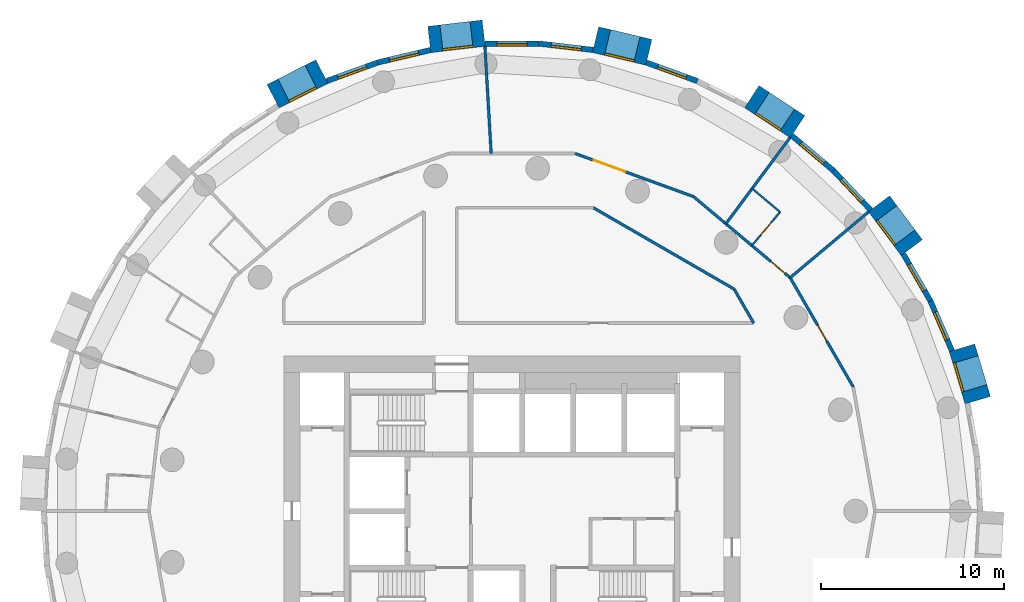
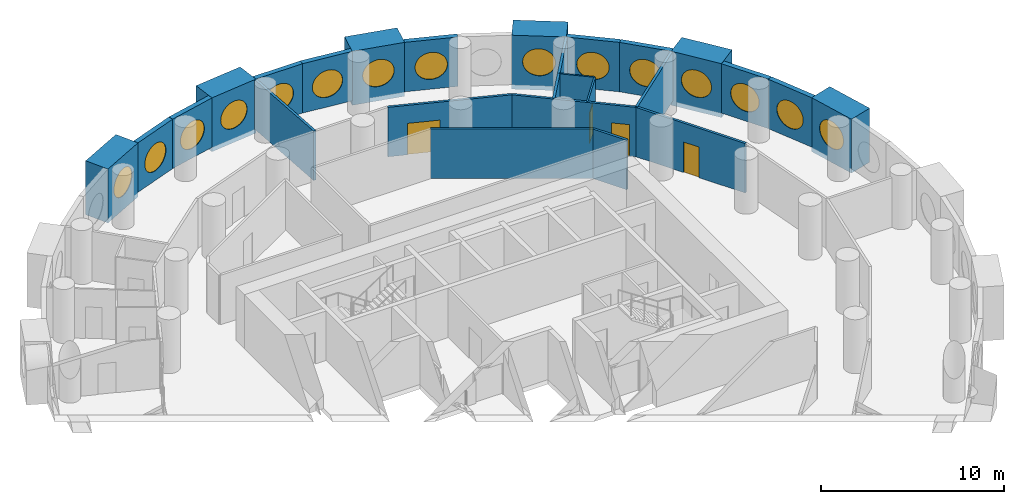
# One storey, part 7 of 9: 25 walls, 15 windows, 4 doors, 19 openings.
"""IFC4 building model written with IfcOpenShell, lengths in metres."""

from ifc_helpers import new_model, si_unit, direction, frame, frame_2d, origin, origin_2d, place, context, subcontext, project, spatial, rectangle, circle, extrude, material, layer, layer_set, type_object, element, fill, save


model = new_model("IFC4")

# Units and contexts
model_context = context("Model", 3, precision=1e-05, world=origin(), true_north=direction((0.0, 1.0)))
body_context = subcontext(model_context, "Body", "Model", "MODEL_VIEW")
ifc_project = project(units=[si_unit("LENGTHUNIT", "METRE"), si_unit("AREAUNIT", "SQUARE_METRE"), si_unit("VOLUMEUNIT", "CUBIC_METRE"), si_unit("PLANEANGLEUNIT", "RADIAN"), si_unit("MASSUNIT", "GRAM", prefix="KILO")], contexts=[model_context])

# Site, building, storey
site_placement = place(None, origin())
site = spatial("IfcSite", under=ifc_project, at=site_placement, CompositionType="ELEMENT")
building_placement = place(site_placement, origin())
building = spatial("IfcBuilding", under=site, at=building_placement, Name="Tracery Tower", CompositionType="ELEMENT")
storey_placement = place(building_placement, frame((0.0, 0.0, 187.199951171875)))
storey = spatial("IfcBuildingStorey", under=building, at=storey_placement, Name="L48", CompositionType="ELEMENT", Elevation=187.199951171875)

# Wall, opening, window
ifc_material_1 = material(Name="Precast concrete C50/60", Category="concrete")
ifc_layer_1 = layer(ifc_material_1, 1.449951171875)
ifc_layer_set_1 = layer_set([ifc_layer_1], Name="Deep-set bay unit 3000 x 3600, slab edge 300")
wall_type_1 = type_object("IfcWallType", Name="Deep-set bay unit 3000 x 3600, slab edge 300", PredefinedType="ELEMENTEDWALL", material=ifc_layer_set_1)
wall_1_placement = place(storey_placement, frame((25.509521484375, 6.0712890625, -0.300048828125), z_axis=(0.0, 0.0, 1.0), x_axis=(-0.286780420304, 0.957996341606, 0.0)))
wall_1 = element("IfcWall", 1, at=wall_1_placement, inside=storey, type_object=wall_type_1, Name="Deep-set bay unit 3 at L48", PredefinedType="ELEMENTEDWALL", context=body_context, shape_type="SweptSolid", body=[
    extrude(rectangle(XDim=3.0, YDim=1.449951171875, at=frame_2d((1.5, 0.0))), origin(), (0.0, 0.0, 1.0), 3.60009765625),
])
opening_1_placement = place(wall_1_placement, frame((1.5, 0.0, 1.85009765625)))
opening_1 = element("IfcOpeningElement", 2, at=opening_1_placement, cuts=wall_1, Name="Opening WN1", PredefinedType="OPENING", context=body_context, shape_type="SweptSolid", body=[
    extrude(circle(Radius=0.9000244140625, at=origin_2d()), frame((0.0, 0.73486328125, 0.0), z_axis=(0.0, -1.0, 0.0), x_axis=(1.0, 0.0, 0.0)), (0.0, 0.0, 1.0), 1.469970703125),
])
ifc_material_2 = material(Name="Aluminium frame with tinted double glazing", Category="aluminium")
window_type = type_object("IfcWindowType", Name="Round window 1800", PartitioningType="SINGLE_PANEL", PredefinedType="WINDOW", material=ifc_material_2)
window_1_placement = place(opening_1_placement, origin())
window_1 = element("IfcWindow", 3, at=window_1_placement, inside=storey, type_object=window_type, Name="Round window 3 at L48", OverallHeight=1.800048828125, OverallWidth=1.800048828125, PartitioningType="SINGLE_PANEL", PredefinedType="WINDOW", context=body_context, shape_type="SweptSolid", body=[
    extrude(circle(Radius=0.9000244140625, at=origin_2d()), frame((0.0, 0.69482421875, 0.0), z_axis=(0.0, -1.0, 0.0), x_axis=(1.0, 0.0, 0.0)), (0.0, 0.0, 1.0), 0.10009765625),
])
fill(opening_1, window_1)

wall_2_placement = place(storey_placement, frame((21.89453125, 14.429931640625, -0.300048828125), z_axis=(0.0, 0.0, 1.0), x_axis=(-0.597183717734, 0.802104486506, 0.0)))
wall_2 = element("IfcWall", 4, at=wall_2_placement, inside=storey, type_object=wall_type_1, Name="Deep-set bay unit 6 at L48", PredefinedType="ELEMENTEDWALL", context=body_context, shape_type="SweptSolid", body=[
    extrude(rectangle(XDim=3.0, YDim=1.449951171875, at=frame_2d((1.5, 0.0))), origin(), (0.0, 0.0, 1.0), 3.60009765625),
])
opening_2_placement = place(wall_2_placement, frame((1.5, 0.0, 1.85009765625)))
opening_2 = element("IfcOpeningElement", 5, at=opening_2_placement, cuts=wall_2, Name="Opening WN1", PredefinedType="OPENING", context=body_context, shape_type="SweptSolid", body=[
    extrude(circle(Radius=0.9000244140625, at=origin_2d()), frame((0.0, 0.73486328125, 0.0), z_axis=(0.0, -1.0, 0.0), x_axis=(1.0, 0.0, 0.0)), (0.0, 0.0, 1.0), 1.469970703125),
])
window_2_placement = place(opening_2_placement, origin())
window_2 = element("IfcWindow", 6, at=window_2_placement, inside=storey, type_object=window_type, Name="Round window 6 at L48", OverallHeight=1.800048828125, OverallWidth=1.800048828125, PartitioningType="SINGLE_PANEL", PredefinedType="WINDOW", context=body_context, shape_type="SweptSolid", body=[
    extrude(circle(Radius=0.9000244140625, at=origin_2d()), frame((0.0, 0.69482421875, 0.0), z_axis=(0.0, -1.0, 0.0), x_axis=(1.0, 0.0, 0.0)), (0.0, 0.0, 1.0), 0.10009765625),
])
fill(opening_2, window_2)

wall_3_placement = place(storey_placement, frame((15.638916015625, 21.048095703125, -0.300048828125), z_axis=(0.0, 0.0, 1.0), x_axis=(-0.835514416706, 0.549468524554, 0.0)))
wall_3 = element("IfcWall", 7, at=wall_3_placement, inside=storey, type_object=wall_type_1, Name="Deep-set bay unit 9 at L48", PredefinedType="ELEMENTEDWALL", context=body_context, shape_type="SweptSolid", body=[
    extrude(rectangle(XDim=3.0, YDim=1.449951171875, at=frame_2d((1.5, 0.0))), origin(), (0.0, 0.0, 1.0), 3.60009765625),
])
opening_3_placement = place(wall_3_placement, frame((1.5, 0.0, 1.85009765625)))
opening_3 = element("IfcOpeningElement", 8, at=opening_3_placement, cuts=wall_3, Name="Opening WN1", PredefinedType="OPENING", context=body_context, shape_type="SweptSolid", body=[
    extrude(circle(Radius=0.9000244140625, at=origin_2d()), frame((0.0, 0.73486328125, 0.0), z_axis=(0.0, -1.0, 0.0), x_axis=(1.0, 0.0, 0.0)), (0.0, 0.0, 1.0), 1.469970703125),
])
window_3_placement = place(opening_3_placement, origin())
window_3 = element("IfcWindow", 9, at=window_3_placement, inside=storey, type_object=window_type, Name="Round window 9 at L48", OverallHeight=1.800048828125, OverallWidth=1.800048828125, PartitioningType="SINGLE_PANEL", PredefinedType="WINDOW", context=body_context, shape_type="SweptSolid", body=[
    extrude(circle(Radius=0.9000244140625, at=origin_2d()), frame((0.0, 0.69482421875, 0.0), z_axis=(0.0, -1.0, 0.0), x_axis=(1.0, 0.0, 0.0)), (0.0, 0.0, 1.0), 0.10009765625),
])
fill(opening_3, window_3)

wall_4_placement = place(storey_placement, frame((7.496826171875, 25.12744140625, -0.300048828125), z_axis=(0.0, 0.0, 1.0), x_axis=(-0.973042333261, 0.23062657627, 0.0)))
wall_4 = element("IfcWall", 10, at=wall_4_placement, inside=storey, type_object=wall_type_1, Name="Deep-set bay unit 12 at L48", PredefinedType="ELEMENTEDWALL", context=body_context, shape_type="SweptSolid", body=[
    extrude(rectangle(XDim=3.0, YDim=1.449951171875, at=frame_2d((1.5, 0.0))), origin(), (0.0, 0.0, 1.0), 3.60009765625),
])
opening_4_placement = place(wall_4_placement, frame((1.5, 0.0, 1.85009765625)))
opening_4 = element("IfcOpeningElement", 11, at=opening_4_placement, cuts=wall_4, Name="Opening WN1", PredefinedType="OPENING", context=body_context, shape_type="SweptSolid", body=[
    extrude(circle(Radius=0.9000244140625, at=origin_2d()), frame((0.0, 0.73486328125, 0.0), z_axis=(0.0, -1.0, 0.0), x_axis=(1.0, 0.0, 0.0)), (0.0, 0.0, 1.0), 1.469970703125),
])
window_4_placement = place(opening_4_placement, origin())
window_4 = element("IfcWindow", 12, at=window_4_placement, inside=storey, type_object=window_type, Name="Round window 12 at L48", OverallHeight=1.800048828125, OverallWidth=1.800048828125, PartitioningType="SINGLE_PANEL", PredefinedType="WINDOW", context=body_context, shape_type="SweptSolid", body=[
    extrude(circle(Radius=0.9000244140625, at=origin_2d()), frame((0.0, 0.69482421875, 0.0), z_axis=(0.0, -1.0, 0.0), x_axis=(1.0, 0.0, 0.0)), (0.0, 0.0, 1.0), 0.10009765625),
])
fill(opening_4, window_4)

wall_5_placement = place(storey_placement, frame((-1.54931640625, 26.17626953125, -0.300048828125), z_axis=(0.0, 0.0, 1.0), x_axis=(-0.9932342274, -0.116128246006, 0.0)))
wall_5 = element("IfcWall", 13, at=wall_5_placement, inside=storey, type_object=wall_type_1, Name="Deep-set bay unit 15 at L48", PredefinedType="ELEMENTEDWALL", context=body_context, shape_type="SweptSolid", body=[
    extrude(rectangle(XDim=3.0, YDim=1.449951171875, at=frame_2d((1.5, 0.0))), origin(), (0.0, 0.0, 1.0), 3.60009765625),
])
opening_5_placement = place(wall_5_placement, frame((1.5, 0.0, 1.85009765625)))
opening_5 = element("IfcOpeningElement", 14, at=opening_5_placement, cuts=wall_5, Name="Opening WN1", PredefinedType="OPENING", context=body_context, shape_type="SweptSolid", body=[
    extrude(circle(Radius=0.9000244140625, at=origin_2d()), frame((0.0, 0.73486328125, 0.0), z_axis=(0.0, -1.0, 0.0), x_axis=(1.0, 0.0, 0.0)), (0.0, 0.0, 1.0), 1.469970703125),
])
window_5_placement = place(opening_5_placement, origin())
window_5 = element("IfcWindow", 15, at=window_5_placement, inside=storey, type_object=window_type, Name="Round window 15 at L48", OverallHeight=1.800048828125, OverallWidth=1.800048828125, PartitioningType="SINGLE_PANEL", PredefinedType="WINDOW", context=body_context, shape_type="SweptSolid", body=[
    extrude(circle(Radius=0.9000244140625, at=origin_2d()), frame((0.0, 0.69482421875, 0.0), z_axis=(0.0, -1.0, 0.0), x_axis=(1.0, 0.0, 0.0)), (0.0, 0.0, 1.0), 0.10009765625),
])
fill(opening_5, window_5)

wall_6_placement = place(storey_placement, frame((-10.40869140625, 24.067626953125, -0.300048828125), z_axis=(0.0, 0.0, 1.0), x_axis=(-0.893628249713, -0.448807922518, 0.0)))
wall_6 = element("IfcWall", 16, at=wall_6_placement, inside=storey, type_object=wall_type_1, Name="Deep-set bay unit 18 at L48", PredefinedType="ELEMENTEDWALL", context=body_context, shape_type="SweptSolid", body=[
    extrude(rectangle(XDim=3.0, YDim=1.449951171875, at=frame_2d((1.5, 0.0))), origin(), (0.0, 0.0, 1.0), 3.60009765625),
])
opening_6_placement = place(wall_6_placement, frame((1.5, 0.0, 1.85009765625)))
opening_6 = element("IfcOpeningElement", 17, at=opening_6_placement, cuts=wall_6, Name="Opening WN1", PredefinedType="OPENING", context=body_context, shape_type="SweptSolid", body=[
    extrude(circle(Radius=0.9000244140625, at=origin_2d()), frame((0.0, 0.73486328125, 0.0), z_axis=(0.0, -1.0, 0.0), x_axis=(1.0, 0.0, 0.0)), (0.0, 0.0, 1.0), 1.469970703125),
])
window_6_placement = place(opening_6_placement, origin())
window_6 = element("IfcWindow", 18, at=window_6_placement, inside=storey, type_object=window_type, Name="Round window 18 at L48", OverallHeight=1.800048828125, OverallWidth=1.800048828125, PartitioningType="SINGLE_PANEL", PredefinedType="WINDOW", context=body_context, shape_type="SweptSolid", body=[
    extrude(circle(Radius=0.9000244140625, at=origin_2d()), frame((0.0, 0.69482421875, 0.0), z_axis=(0.0, -1.0, 0.0), x_axis=(1.0, 0.0, 0.0)), (0.0, 0.0, 1.0), 0.10009765625),
])
fill(opening_6, window_6)

ifc_material_3 = material(Name="Precast concrete C50/60", Category="concrete")
ifc_layer_2 = layer(ifc_material_3, 0.300048828125)
ifc_layer_set_2 = layer_set([ifc_layer_2], Name="Facade panel 3000 x 3300")
wall_type_2 = type_object("IfcWallType", Name="Facade panel 3000 x 3300", PredefinedType="SOLIDWALL", material=ifc_layer_set_2)
wall_7_placement = place(storey_placement, frame((24.096923828125, 8.78076171875, 0.0), z_axis=(0.0, 0.0, 1.0), x_axis=(-0.396078892785, 0.918216483565, 0.0)))
wall_7 = element("IfcWall", 19, at=wall_7_placement, inside=storey, type_object=wall_type_2, Name="Facade panel 4 at L48", PredefinedType="SOLIDWALL", context=body_context, shape_type="SweptSolid", body=[
    extrude(rectangle(XDim=2.972900390625, YDim=0.300048828125, at=frame_2d((1.486328125, 0.0))), origin(), (0.0, 0.0, 1.0), 3.300048828125),
])
opening_7_placement = place(wall_7_placement, frame((1.486328125, 0.0, 1.5498046875)))
opening_7 = element("IfcOpeningElement", 20, at=opening_7_placement, cuts=wall_7, Name="Opening WN1", PredefinedType="OPENING", context=body_context, shape_type="SweptSolid", body=[
    extrude(circle(Radius=0.9000244140625, at=origin_2d()), frame((0.0, 0.159912109375, 0.0), z_axis=(0.0, -1.0, 0.0), x_axis=(1.0, 0.0, 0.0)), (0.0, 0.0, 1.0), 0.320068359375),
])
window_7_placement = place(opening_7_placement, origin())
window_7 = element("IfcWindow", 21, at=window_7_placement, inside=storey, type_object=window_type, Name="Round window 4 at L48", OverallHeight=1.800048828125, OverallWidth=1.800048828125, PartitioningType="SINGLE_PANEL", PredefinedType="WINDOW", context=body_context, shape_type="SweptSolid", body=[
    extrude(circle(Radius=0.9000244140625, at=origin_2d()), frame((0.0, 0.1201171875, 0.0), z_axis=(0.0, -1.0, 0.0), x_axis=(1.0, 0.0, 0.0)), (0.0, 0.0, 1.0), 0.10009765625),
])
fill(opening_7, window_7)

wall_8_placement = place(storey_placement, frame((22.91943359375, 11.510498046875, 0.0), z_axis=(0.0, 0.0, 1.0), x_axis=(-0.500016263033, 0.866016014115, 0.0)))
wall_8 = element("IfcWall", 22, at=wall_8_placement, inside=storey, type_object=wall_type_2, Name="Facade panel 5 at L48", PredefinedType="SOLIDWALL", context=body_context, shape_type="SweptSolid", body=[
    extrude(rectangle(XDim=2.97314453125, YDim=0.300048828125, at=frame_2d((1.486572265625, 0.0))), origin(), (0.0, 0.0, 1.0), 3.300048828125),
])
opening_8_placement = place(wall_8_placement, frame((1.486328125, 0.0, 1.5498046875)))
opening_8 = element("IfcOpeningElement", 23, at=opening_8_placement, cuts=wall_8, Name="Opening WN1", PredefinedType="OPENING", context=body_context, shape_type="SweptSolid", body=[
    extrude(circle(Radius=0.9000244140625, at=origin_2d()), frame((0.0, 0.159912109375, 0.0), z_axis=(0.0, -1.0, 0.0), x_axis=(1.0, 0.0, 0.0)), (0.0, 0.0, 1.0), 0.320068359375),
])
window_8_placement = place(opening_8_placement, origin())
window_8 = element("IfcWindow", 24, at=window_8_placement, inside=storey, type_object=window_type, Name="Round window 5 at L48", OverallHeight=1.800048828125, OverallWidth=1.800048828125, PartitioningType="SINGLE_PANEL", PredefinedType="WINDOW", context=body_context, shape_type="SweptSolid", body=[
    extrude(circle(Radius=0.9000244140625, at=origin_2d()), frame((0.0, 0.1201171875, 0.0), z_axis=(0.0, -1.0, 0.0), x_axis=(1.0, 0.0, 0.0)), (0.0, 0.0, 1.0), 0.10009765625),
])
fill(opening_8, window_8)

wall_9_placement = place(storey_placement, frame((19.640380859375, 16.492919921875, 0.0), z_axis=(0.0, 0.0, 1.0), x_axis=(-0.686235184166, 0.727379730273, 0.0)))
wall_9 = element("IfcWall", 25, at=wall_9_placement, inside=storey, type_object=wall_type_2, Name="Facade panel 7 at L48", PredefinedType="SOLIDWALL", context=body_context, shape_type="SweptSolid", body=[
    extrude(rectangle(XDim=2.972900390625, YDim=0.300048828125, at=frame_2d((1.486328125, 0.0))), origin(), (0.0, 0.0, 1.0), 3.300048828125),
])
opening_9_placement = place(wall_9_placement, frame((1.486328125, 0.0, 1.5498046875)))
opening_9 = element("IfcOpeningElement", 26, at=opening_9_placement, cuts=wall_9, Name="Opening WN1", PredefinedType="OPENING", context=body_context, shape_type="SweptSolid", body=[
    extrude(circle(Radius=0.9000244140625, at=origin_2d()), frame((0.0, 0.159912109375, 0.0), z_axis=(0.0, -1.0, 0.0), x_axis=(1.0, 0.0, 0.0)), (0.0, 0.0, 1.0), 0.320068359375),
])
window_9_placement = place(opening_9_placement, origin())
window_9 = element("IfcWindow", 27, at=window_9_placement, inside=storey, type_object=window_type, Name="Round window 7 at L48", OverallHeight=1.800048828125, OverallWidth=1.800048828125, PartitioningType="SINGLE_PANEL", PredefinedType="WINDOW", context=body_context, shape_type="SweptSolid", body=[
    extrude(circle(Radius=0.9000244140625, at=origin_2d()), frame((0.0, 0.1201171875, 0.0), z_axis=(0.0, -1.0, 0.0), x_axis=(1.0, 0.0, 0.0)), (0.0, 0.0, 1.0), 0.10009765625),
])
fill(opening_9, window_9)

wall_10_placement = place(storey_placement, frame((17.600341796875, 18.6552734375, 0.0), z_axis=(0.0, 0.0, 1.0), x_axis=(-0.766049350637, 0.642781761089, 0.0)))
wall_10 = element("IfcWall", 28, at=wall_10_placement, inside=storey, type_object=wall_type_2, Name="Facade panel 8 at L48", PredefinedType="SOLIDWALL", context=body_context, shape_type="SweptSolid", body=[
    extrude(rectangle(XDim=2.972900390625, YDim=0.300048828125, at=frame_2d((1.486328125, 0.0))), origin(), (0.0, 0.0, 1.0), 3.300048828125),
])
opening_10_placement = place(wall_10_placement, frame((1.486328125, 0.0, 1.5498046875)))
opening_10 = element("IfcOpeningElement", 29, at=opening_10_placement, cuts=wall_10, Name="Opening WN1", PredefinedType="OPENING", context=body_context, shape_type="SweptSolid", body=[
    extrude(circle(Radius=0.9000244140625, at=origin_2d()), frame((0.0, 0.159912109375, 0.0), z_axis=(0.0, -1.0, 0.0), x_axis=(1.0, 0.0, 0.0)), (0.0, 0.0, 1.0), 0.320068359375),
])
window_10_placement = place(opening_10_placement, origin())
window_10 = element("IfcWindow", 30, at=window_10_placement, inside=storey, type_object=window_type, Name="Round window 8 at L48", OverallHeight=1.800048828125, OverallWidth=1.800048828125, PartitioningType="SINGLE_PANEL", PredefinedType="WINDOW", context=body_context, shape_type="SweptSolid", body=[
    extrude(circle(Radius=0.9000244140625, at=origin_2d()), frame((0.0, 0.1201171875, 0.0), z_axis=(0.0, -1.0, 0.0), x_axis=(1.0, 0.0, 0.0)), (0.0, 0.0, 1.0), 0.10009765625),
])
fill(opening_10, window_10)

wall_11_placement = place(storey_placement, frame((10.158447265625, 23.5498046875, 0.0), z_axis=(0.0, 0.0, 1.0), x_axis=(-0.939690282133, 0.342026568652, 0.0)))
wall_11 = element("IfcWall", 31, at=wall_11_placement, inside=storey, type_object=wall_type_2, Name="Facade panel 11 at L48", PredefinedType="SOLIDWALL", context=body_context, shape_type="SweptSolid", body=[
    extrude(rectangle(XDim=2.972900390625, YDim=0.300048828125, at=frame_2d((1.486328125, 0.0))), origin(), (0.0, 0.0, 1.0), 3.300048828125),
])
opening_11_placement = place(wall_11_placement, frame((1.486328125, 0.0, 1.5498046875)))
opening_11 = element("IfcOpeningElement", 32, at=opening_11_placement, cuts=wall_11, Name="Opening WN1", PredefinedType="OPENING", context=body_context, shape_type="SweptSolid", body=[
    extrude(circle(Radius=0.9000244140625, at=origin_2d()), frame((0.0, 0.159912109375, 0.0), z_axis=(0.0, -1.0, 0.0), x_axis=(1.0, 0.0, 0.0)), (0.0, 0.0, 1.0), 0.320068359375),
])
window_11_placement = place(opening_11_placement, origin())
window_11 = element("IfcWindow", 33, at=window_11_placement, inside=storey, type_object=window_type, Name="Round window 11 at L48", OverallHeight=1.800048828125, OverallWidth=1.800048828125, PartitioningType="SINGLE_PANEL", PredefinedType="WINDOW", context=body_context, shape_type="SweptSolid", body=[
    extrude(circle(Radius=0.9000244140625, at=origin_2d()), frame((0.0, 0.1201171875, 0.0), z_axis=(0.0, -1.0, 0.0), x_axis=(1.0, 0.0, 0.0)), (0.0, 0.0, 1.0), 0.10009765625),
])
fill(opening_11, window_11)

wall_12_placement = place(storey_placement, frame((4.444091796875, 25.259033203125, 0.0), z_axis=(0.0, 0.0, 1.0), x_axis=(-0.993245010522, 0.1160359818, 0.0)))
wall_12 = element("IfcWall", 34, at=wall_12_placement, inside=storey, type_object=wall_type_2, Name="Facade panel 13 at L48", PredefinedType="SOLIDWALL", context=body_context, shape_type="SweptSolid", body=[
    extrude(rectangle(XDim=2.972900390625, YDim=0.300048828125, at=frame_2d((1.486328125, 0.0))), origin(), (0.0, 0.0, 1.0), 3.300048828125),
])
opening_12_placement = place(wall_12_placement, frame((1.486328125, 0.0, 1.5498046875)))
opening_12 = element("IfcOpeningElement", 35, at=opening_12_placement, cuts=wall_12, Name="Opening WN1", PredefinedType="OPENING", context=body_context, shape_type="SweptSolid", body=[
    extrude(circle(Radius=0.9000244140625, at=origin_2d()), frame((0.0, 0.159912109375, 0.0), z_axis=(0.0, -1.0, 0.0), x_axis=(1.0, 0.0, 0.0)), (0.0, 0.0, 1.0), 0.320068359375),
])
window_12_placement = place(opening_12_placement, origin())
window_12 = element("IfcWindow", 36, at=window_12_placement, inside=storey, type_object=window_type, Name="Round window 13 at L48", OverallHeight=1.800048828125, OverallWidth=1.800048828125, PartitioningType="SINGLE_PANEL", PredefinedType="WINDOW", context=body_context, shape_type="SweptSolid", body=[
    extrude(circle(Radius=0.9000244140625, at=origin_2d()), frame((0.0, 0.1201171875, 0.0), z_axis=(0.0, -1.0, 0.0), x_axis=(1.0, 0.0, 0.0)), (0.0, 0.0, 1.0), 0.10009765625),
])
fill(opening_12, window_12)

wall_13_placement = place(storey_placement, frame((1.4912109375, 25.60400390625, 0.0), z_axis=(0.0, 0.0, 1.0), x_axis=(-1.0, 0.0, 0.0)))
wall_13 = element("IfcWall", 37, at=wall_13_placement, inside=storey, type_object=wall_type_2, Name="Facade panel 14 at L48", PredefinedType="SOLIDWALL", context=body_context, shape_type="SweptSolid", body=[
    extrude(rectangle(XDim=2.972900390625, YDim=0.300048828125, at=frame_2d((1.486328125, 0.0))), origin(), (0.0, 0.0, 1.0), 3.300048828125),
])
opening_13_placement = place(wall_13_placement, frame((1.486328125, 0.0, 1.5498046875)))
opening_13 = element("IfcOpeningElement", 38, at=opening_13_placement, cuts=wall_13, Name="Opening WN1", PredefinedType="OPENING", context=body_context, shape_type="SweptSolid", body=[
    extrude(circle(Radius=0.9000244140625, at=origin_2d()), frame((0.0, 0.159912109375, 0.0), z_axis=(0.0, -1.0, 0.0), x_axis=(1.0, 0.0, 0.0)), (0.0, 0.0, 1.0), 0.320068359375),
])
window_13_placement = place(opening_13_placement, origin())
window_13 = element("IfcWindow", 39, at=window_13_placement, inside=storey, type_object=window_type, Name="Round window 14 at L48", OverallHeight=1.800048828125, OverallWidth=1.800048828125, PartitioningType="SINGLE_PANEL", PredefinedType="WINDOW", context=body_context, shape_type="SweptSolid", body=[
    extrude(circle(Radius=0.9000244140625, at=origin_2d()), frame((0.0, 0.1201171875, 0.0), z_axis=(0.0, -1.0, 0.0), x_axis=(1.0, 0.0, 0.0)), (0.0, 0.0, 1.0), 0.10009765625),
])
fill(opening_13, window_13)

wall_14_placement = place(storey_placement, frame((-4.463134765625, 25.255615234375, 0.0), z_axis=(0.0, 0.0, 1.0), x_axis=(-0.973045378923, -0.230613725862, 0.0)))
wall_14 = element("IfcWall", 40, at=wall_14_placement, inside=storey, type_object=wall_type_2, Name="Facade panel 16 at L48", PredefinedType="SOLIDWALL", context=body_context, shape_type="SweptSolid", body=[
    extrude(rectangle(XDim=2.97265625, YDim=0.300048828125, at=frame_2d((1.486328125, 0.0))), origin(), (0.0, 0.0, 1.0), 3.300048828125),
])
opening_14_placement = place(wall_14_placement, frame((1.486328125, 0.0, 1.5498046875)))
opening_14 = element("IfcOpeningElement", 41, at=opening_14_placement, cuts=wall_14, Name="Opening WN1", PredefinedType="OPENING", context=body_context, shape_type="SweptSolid", body=[
    extrude(circle(Radius=0.9000244140625, at=origin_2d()), frame((0.0, 0.159912109375, 0.0), z_axis=(0.0, -1.0, 0.0), x_axis=(1.0, 0.0, 0.0)), (0.0, 0.0, 1.0), 0.320068359375),
])
window_14_placement = place(opening_14_placement, origin())
window_14 = element("IfcWindow", 42, at=window_14_placement, inside=storey, type_object=window_type, Name="Round window 16 at L48", OverallHeight=1.800048828125, OverallWidth=1.800048828125, PartitioningType="SINGLE_PANEL", PredefinedType="WINDOW", context=body_context, shape_type="SweptSolid", body=[
    extrude(circle(Radius=0.9000244140625, at=origin_2d()), frame((0.0, 0.1201171875, 0.0), z_axis=(0.0, -1.0, 0.0), x_axis=(1.0, 0.0, 0.0)), (0.0, 0.0, 1.0), 0.10009765625),
])
fill(opening_14, window_14)

wall_15_placement = place(storey_placement, frame((-7.355712890625, 24.570068359375, 0.0), z_axis=(0.0, 0.0, 1.0), x_axis=(-0.939690282133, -0.342026568652, 0.0)))
wall_15 = element("IfcWall", 43, at=wall_15_placement, inside=storey, type_object=wall_type_2, Name="Facade panel 17 at L48", PredefinedType="SOLIDWALL", context=body_context, shape_type="SweptSolid", body=[
    extrude(rectangle(XDim=2.972900390625, YDim=0.300048828125, at=frame_2d((1.486328125, 0.0))), origin(), (0.0, 0.0, 1.0), 3.300048828125),
])
opening_15_placement = place(wall_15_placement, frame((1.486328125, 0.0, 1.5498046875)))
opening_15 = element("IfcOpeningElement", 44, at=opening_15_placement, cuts=wall_15, Name="Opening WN1", PredefinedType="OPENING", context=body_context, shape_type="SweptSolid", body=[
    extrude(circle(Radius=0.9000244140625, at=origin_2d()), frame((0.0, 0.159912109375, 0.0), z_axis=(0.0, -1.0, 0.0), x_axis=(1.0, 0.0, 0.0)), (0.0, 0.0, 1.0), 0.320068359375),
])
window_15_placement = place(opening_15_placement, origin())
window_15 = element("IfcWindow", 45, at=window_15_placement, inside=storey, type_object=window_type, Name="Round window 17 at L48", OverallHeight=1.800048828125, OverallWidth=1.800048828125, PartitioningType="SINGLE_PANEL", PredefinedType="WINDOW", context=body_context, shape_type="SweptSolid", body=[
    extrude(circle(Radius=0.9000244140625, at=origin_2d()), frame((0.0, 0.1201171875, 0.0), z_axis=(0.0, -1.0, 0.0), x_axis=(1.0, 0.0, 0.0)), (0.0, 0.0, 1.0), 0.10009765625),
])
fill(opening_15, window_15)

# Wall, opening, door
ifc_material_4 = material(Name="Plasterboard on steel studs", Category="steel")
ifc_layer_3 = layer(ifc_material_4, 0.10009765625)
ifc_layer_set_3 = layer_set([ifc_layer_3], Name="Partition 100 wet wall")
wall_type_3 = type_object("IfcWallType", Name="Partition 100 wet wall", PredefinedType="PARTITIONING", material=ifc_layer_set_3)
wall_16_placement = place(storey_placement, frame((13.138916015625, 14.5419921875, 0.0), z_axis=(0.0, 0.0, 1.0), x_axis=(0.642731657745, 0.766091388891, 0.0)))
wall_16 = element("IfcWall", 46, at=wall_16_placement, inside=storey, type_object=wall_type_3, Name="Wet wall RB6-041", PredefinedType="PARTITIONING", context=body_context, shape_type="SweptSolid", body=[
    extrude(rectangle(XDim=2.400634765625, YDim=0.10009765625, at=frame_2d((1.2001953125, 0.0))), origin(), (0.0, 0.0, 1.0), 3.300048828125),
])
opening_16_placement = place(wall_16_placement, frame((0.75, 0.0, 0.0)))
opening_16 = element("IfcOpeningElement", 47, at=opening_16_placement, cuts=wall_16, Name="Opening RB6-06", PredefinedType="OPENING", context=body_context, shape_type="SweptSolid", body=[
    extrude(rectangle(XDim=0.89990234375, YDim=2.0400390625, at=frame_2d((0.449951171875, 1.02001953125))), frame((0.0, 0.050048828125, 0.0), z_axis=(0.0, -1.0, 0.0), x_axis=(1.0, 0.0, 0.0)), (0.0, 0.0, 1.0), 0.10009765625),
])
ifc_material_5 = material(Name="Timber door leaf", Category="wood")
door_type_1 = type_object("IfcDoorType", Name="Door en-suite 900", OperationType="NOTDEFINED", PredefinedType="DOOR", material=ifc_material_5)
door_1_placement = place(opening_16_placement, origin())
door_1 = element("IfcDoor", 48, at=door_1_placement, inside=storey, type_object=door_type_1, Name="En-suite door RB6-06", OperationType="SINGLE_SWING_LEFT", OverallHeight=2.0400390625, OverallWidth=0.89990234375, PredefinedType="DOOR", context=body_context, shape_type="SweptSolid", body=[
    extrude(rectangle(XDim=0.89990234375, YDim=2.0400390625, at=frame_2d((0.449951171875, 1.02001953125))), frame((0.0, 0.02490234375, 0.0), z_axis=(0.0, -1.0, 0.0), x_axis=(1.0, 0.0, 0.0)), (0.0, 0.0, 1.0), 0.050048828125),
])
fill(opening_16, door_1)

# Walls
wall_17_placement = place(storey_placement, frame((13.15087890625, 17.6650390625, 0.0), z_axis=(0.0, 0.0, 1.0), x_axis=(0.766224532916, -0.642572925945, 0.0)))
element("IfcWall", 49, at=wall_17_placement, inside=storey, type_object=wall_type_3, Name="Wet wall RB6-042", PredefinedType="PARTITIONING", context=body_context, shape_type="SweptSolid", body=[
    extrude(rectangle(XDim=1.998046875, YDim=0.10009765625, at=frame_2d((0.9990234375, 0.0))), origin(), (0.0, 0.0, 1.0), 3.300048828125),
])
ifc_material_6 = material(Name="Plasterboard on steel studs", Category="steel")
ifc_layer_4 = layer(ifc_material_6, 0.14990234375)
ifc_layer_set_4 = layer_set([ifc_layer_4], Name="Partition 150 acoustic unit wall")
wall_type_4 = type_object("IfcWallType", Name="Partition 150 acoustic unit wall", PredefinedType="PARTITIONING", material=ifc_layer_set_4)
wall_18_placement = place(storey_placement, frame((15.235107421875, 12.783935546875, 0.0), z_axis=(0.0, 0.0, 1.0), x_axis=(0.76609059793, 0.642732600514, 0.0)))
element("IfcWall", 50, at=wall_18_placement, inside=storey, type_object=wall_type_4, Name="Unit wall RB6-039", PredefinedType="PARTITIONING", context=body_context, shape_type="SweptSolid", body=[
    extrude(rectangle(XDim=5.60888671875, YDim=0.14990234375, at=frame_2d((2.804443359375, 0.0))), origin(), (0.0, 0.0, 1.0), 3.300048828125),
])
wall_19_placement = place(storey_placement, frame((11.7158203125, 15.7373046875, 0.0), z_axis=(0.0, 0.0, 1.0), x_axis=(0.597198494348, 0.802093484793, 0.0)))
element("IfcWall", 51, at=wall_19_placement, inside=storey, type_object=wall_type_4, Name="Unit wall RB6-043", PredefinedType="PARTITIONING", context=body_context, shape_type="SweptSolid", body=[
    extrude(rectangle(XDim=5.8779296875, YDim=0.14990234375, at=frame_2d((2.93896484375, 0.0))), origin(), (0.0, 0.0, 1.0), 3.300048828125),
])
wall_20_placement = place(storey_placement, frame((-1.48291015625, 25.4541015625, 0.0), z_axis=(0.0, 0.0, 1.0), x_axis=(0.058147412668, -0.998308007781, 0.0)))
element("IfcWall", 52, at=wall_20_placement, inside=storey, type_object=wall_type_4, Name="Unit wall RB6-044", PredefinedType="PARTITIONING", context=body_context, shape_type="SweptSolid", body=[
    extrude(rectangle(XDim=5.878173828125, YDim=0.14990234375, at=frame_2d((2.93896484375, 0.0))), origin(), (0.0, 0.0, 1.0), 3.300048828125),
])
ifc_material_7 = material(Name="Plasterboard on steel studs", Category="steel")
ifc_layer_5 = layer(ifc_material_7, 0.14990234375)
ifc_layer_set_5 = layer_set([ifc_layer_5], Name="Partition 150 corridor wall")
wall_type_5 = type_object("IfcWallType", Name="Partition 150 corridor wall", PredefinedType="PARTITIONING", material=ifc_layer_set_5)
wall_21_placement = place(storey_placement, frame((12.162109375, 12.162109375, 0.0), z_axis=(0.0, 0.0, 1.0), x_axis=(0.499961633463, -0.866047553582, 0.0)))
element("IfcWall", 53, at=wall_21_placement, inside=storey, type_object=wall_type_5, Name="Corridor wall RB6-005", PredefinedType="PARTITIONING", context=body_context, shape_type="SweptSolid", body=[
    extrude(rectangle(XDim=2.150146484375, YDim=0.14990234375, at=frame_2d((1.0751953125, 0.0))), origin(), (0.0, 0.0, 1.0), 3.300048828125),
])

# Wall, opening, door
wall_22_placement = place(storey_placement, frame((15.235107421875, 12.783935546875, 0.0), z_axis=(0.0, 0.0, 1.0), x_axis=(0.499914202267, -0.866074933462, 0.0)))
wall_22 = element("IfcWall", 54, at=wall_22_placement, inside=storey, type_object=wall_type_5, Name="Corridor wall RB6-007", PredefinedType="PARTITIONING", context=body_context, shape_type="SweptSolid", body=[
    extrude(rectangle(XDim=6.906982421875, YDim=0.14990234375, at=frame_2d((3.45361328125, 0.0))), origin(), (0.0, 0.0, 1.0), 3.300048828125),
])
opening_17_placement = place(wall_22_placement, frame((3.00390625, 0.0, 0.0)))
opening_17 = element("IfcOpeningElement", 55, at=opening_17_placement, cuts=wall_22, Name="Opening RB6-05", PredefinedType="OPENING", context=body_context, shape_type="SweptSolid", body=[
    extrude(rectangle(XDim=1.0, YDim=2.0400390625, at=frame_2d((0.5, 1.02001953125))), frame((0.0, 0.074951171875, 0.0), z_axis=(0.0, -1.0, 0.0), x_axis=(1.0, 0.0, 0.0)), (0.0, 0.0, 1.0), 0.14990234375),
])
ifc_material_8 = material(Name="Timber door leaf", Category="wood")
door_type_2 = type_object("IfcDoorType", Name="Door communal room 1000", OperationType="NOTDEFINED", PredefinedType="DOOR", material=ifc_material_8)
door_2_placement = place(opening_17_placement, origin())
door_2 = element("IfcDoor", 56, at=door_2_placement, inside=storey, type_object=door_type_2, Name="Communal room door RB6-05", OperationType="SINGLE_SWING_RIGHT", OverallHeight=2.0400390625, OverallWidth=1.0, PredefinedType="DOOR", context=body_context, shape_type="SweptSolid", body=[
    extrude(rectangle(XDim=1.0, YDim=2.0400390625, at=frame_2d((0.5, 1.02001953125))), frame((0.0, 0.02490234375, 0.0), z_axis=(0.0, -1.0, 0.0), x_axis=(1.0, 0.0, 0.0)), (0.0, 0.0, 1.0), 0.050048828125),
])
fill(opening_17, door_2)

wall_23_placement = place(storey_placement, frame((9.943359375, 17.22216796875, 0.0), z_axis=(0.0, 0.0, 1.0), x_axis=(0.766192104565, -0.642611592567, 0.0)))
wall_23 = element("IfcWall", 57, at=wall_23_placement, inside=storey, type_object=wall_type_5, Name="Corridor wall RB6-009", PredefinedType="PARTITIONING", context=body_context, shape_type="SweptSolid", body=[
    extrude(rectangle(XDim=6.906494140625, YDim=0.14990234375, at=frame_2d((3.453125, 0.0))), origin(), (0.0, 0.0, 1.0), 3.300048828125),
])
opening_18_placement = place(wall_23_placement, frame((5.53662109375, 0.0, 0.0)))
opening_18 = element("IfcOpeningElement", 58, at=opening_18_placement, cuts=wall_23, Name="Opening RB6-07", PredefinedType="OPENING", context=body_context, shape_type="SweptSolid", body=[
    extrude(rectangle(XDim=1.0, YDim=2.10009765625, at=frame_2d((0.5, 1.050048828125))), frame((0.0, 0.074951171875, 0.0), z_axis=(0.0, -1.0, 0.0), x_axis=(1.0, 0.0, 0.0)), (0.0, 0.0, 1.0), 0.14990234375),
])
ifc_material_9 = material(Name="Timber door leaf", Category="wood")
door_type_3 = type_object("IfcDoorType", Name="Door unit entrance 1000", OperationType="NOTDEFINED", PredefinedType="DOOR", material=ifc_material_9)
door_3_placement = place(opening_18_placement, origin())
door_3 = element("IfcDoor", 59, at=door_3_placement, inside=storey, type_object=door_type_3, Name="Unit entrance door RB6-07", OperationType="SINGLE_SWING_RIGHT", OverallHeight=2.10009765625, OverallWidth=1.0, PredefinedType="DOOR", context=body_context, shape_type="SweptSolid", body=[
    extrude(rectangle(XDim=1.0, YDim=2.10009765625, at=frame_2d((0.5, 1.050048828125))), frame((0.0, 0.02490234375, 0.0), z_axis=(0.0, -1.0, 0.0), x_axis=(1.0, 0.0, 0.0)), (0.0, 0.0, 1.0), 0.050048828125),
])
fill(opening_18, door_3)

# Wall
wall_24_placement = place(storey_placement, frame((4.451904296875, 16.614013671875, 0.0), z_axis=(0.0, 0.0, 1.0), x_axis=(0.866005203721, -0.500034985904, 0.0)))
element("IfcWall", 60, at=wall_24_placement, inside=storey, type_object=wall_type_5, Name="Corridor wall RB6-015", PredefinedType="PARTITIONING", context=body_context, shape_type="SweptSolid", body=[
    extrude(rectangle(XDim=8.903076171875, YDim=0.14990234375, at=frame_2d((4.45166015625, 0.0))), origin(), (0.0, 0.0, 1.0), 3.300048828125),
])

# Wall, opening, door
wall_25_placement = place(storey_placement, frame((3.452880859375, 19.5859375, 0.0), z_axis=(0.0, 0.0, 1.0), x_axis=(0.939672634566, -0.342075050021, 0.0)))
wall_25 = element("IfcWall", 61, at=wall_25_placement, inside=storey, type_object=wall_type_5, Name="Corridor wall RB6-019", PredefinedType="PARTITIONING", context=body_context, shape_type="SweptSolid", body=[
    extrude(rectangle(XDim=6.907958984375, YDim=0.14990234375, at=frame_2d((3.4541015625, 0.0))), origin(), (0.0, 0.0, 1.0), 3.300048828125),
])
opening_19_placement = place(wall_25_placement, frame((1.10400390625, 0.0, 0.0)))
opening_19 = element("IfcOpeningElement", 62, at=opening_19_placement, cuts=wall_25, Name="Opening RB6-08", PredefinedType="OPENING", context=body_context, shape_type="SweptSolid", body=[
    extrude(rectangle(XDim=1.800048828125, YDim=2.10009765625, at=frame_2d((0.89990234375, 1.050048828125))), frame((0.0, 0.074951171875, 0.0), z_axis=(0.0, -1.0, 0.0), x_axis=(1.0, 0.0, 0.0)), (0.0, 0.0, 1.0), 0.14990234375),
])
ifc_material_10 = material(Name="Timber door leaf", Category="wood")
door_type_4 = type_object("IfcDoorType", Name="Door double lounge 1800", OperationType="NOTDEFINED", PredefinedType="DOOR", material=ifc_material_10)
door_4_placement = place(opening_19_placement, origin())
door_4 = element("IfcDoor", 63, at=door_4_placement, inside=storey, type_object=door_type_4, Name="Double lounge door RB6-08", OperationType="DOUBLE_DOOR_SINGLE_SWING", OverallHeight=2.10009765625, OverallWidth=1.800048828125, PredefinedType="DOOR", context=body_context, shape_type="SweptSolid", body=[
    extrude(rectangle(XDim=1.800048828125, YDim=2.10009765625, at=frame_2d((0.89990234375, 1.050048828125))), frame((0.0, 0.02490234375, 0.0), z_axis=(0.0, -1.0, 0.0), x_axis=(1.0, 0.0, 0.0)), (0.0, 0.0, 1.0), 0.050048828125),
])
fill(opening_19, door_4)

save(model, "model.ifc")
